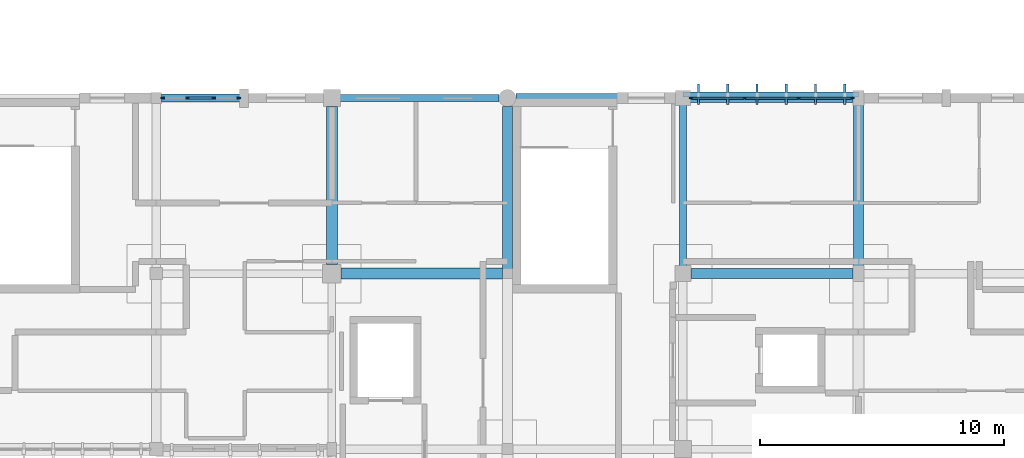
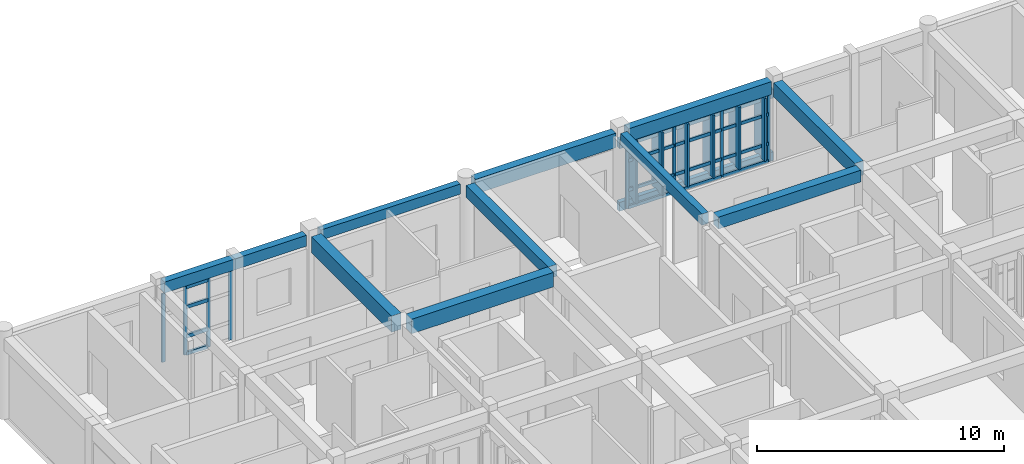
# One storey, part 5 of 19: 30 members, 12 beams, 2 elements without a shape of their own.
"""IFC4 building model written with IfcOpenShell, lengths in metres."""

from ifc_helpers import new_model, si_unit, direction, frame, origin, origin_2d, place, context, subcontext, project, spatial, rectangle, extrude, material, material_profile, profile_set, type_object, element, aggregate, save


model = new_model("IFC4")

# Units and contexts
model_context = context("Model", 3, precision=1e-05, world=origin(), true_north=direction((0.0, 1.0)))
body_context = subcontext(model_context, "Body", "Model", "MODEL_VIEW")
ifc_project = project(units=[si_unit("LENGTHUNIT", "METRE"), si_unit("AREAUNIT", "SQUARE_METRE"), si_unit("VOLUMEUNIT", "CUBIC_METRE"), si_unit("PLANEANGLEUNIT", "RADIAN"), si_unit("MASSUNIT", "GRAM", prefix="KILO")], contexts=[model_context])

# Site, building, storey
site_placement = place(None, origin())
site = spatial("IfcSite", under=ifc_project, at=site_placement, CompositionType="ELEMENT")
building_placement = place(site_placement, origin())
building = spatial("IfcBuilding", under=site, at=building_placement, Name="Steenspoor Specialist Clinic", CompositionType="ELEMENT")
storey_placement = place(building_placement, frame((0.0, 0.0, 21.60009765625)))
storey = spatial("IfcBuildingStorey", under=building, at=storey_placement, Name="L05", CompositionType="ELEMENT", Elevation=21.60009765625)

# Beams
ifc_material_1 = material(Name="Glulam GL28h", Category="wood")
ifc_material_profile_1 = material_profile(ifc_material_1, rectangle(XDim=0.199951171875, YDim=0.43994140625, at=origin_2d()), Name="GL28H-200X440")
ifc_profile_set_1 = profile_set([ifc_material_profile_1], Name="Glulam GL28h")
beam_type_1 = type_object("IfcBeamType", Name="BM-GL-200X440", PredefinedType="BEAM", material=ifc_profile_set_1)
for number, where, z_axis, x_axis, name in (
    (1, (88.39990234375, 108.5, 0.139892578125), (1.0, 0.0, 0.0), (0.0, 1.0, 0.0), "Timber Screen Tie Rail V4 L05 128"),
    (2, (88.39990234375, 108.5, 3.22998046875), (1.0, 0.0, 0.0), (0.0, 1.0, 0.0), "Timber Screen Tie Rail V4 L05 129"),
):
    element("IfcBeam", number, at=place(storey_placement, frame(where, z_axis=z_axis, x_axis=x_axis)), inside=storey, type_object=beam_type_1, Name=name, PredefinedType="BEAM", context=body_context, shape_type="SweptSolid", body=[
        extrude(rectangle(XDim=0.199951171875, YDim=0.43994140625, at=origin_2d()), origin(), (0.0, 0.0, 1.0), 7.2001953125),
    ])
ifc_material_2 = material(Name="Concrete C35/45", Category="concrete")
ifc_material_profile_2 = material_profile(ifc_material_2, rectangle(XDim=0.300048828125, YDim=0.550048828125, at=origin_2d()), Name="RC-BM-300X550")
ifc_profile_set_2 = profile_set([ifc_material_profile_2], Name="Concrete C35/45")
beam_type_2 = type_object("IfcBeamType", Name="BM-RC-300X550", PredefinedType="BEAM", material=ifc_profile_set_2)
beam_1_placement = place(storey_placement, frame((88.39990234375, 101.469970703125, 3.760009765625), z_axis=(0.0, 1.0, 0.0), x_axis=(-1.0, 0.0, 0.0)))
element("IfcBeam", 3, at=beam_1_placement, inside=storey, type_object=beam_type_2, Name="BM-V4-L05-Y1043", PredefinedType="BEAM", context=body_context, shape_type="SweptSolid", body=[
    extrude(rectangle(XDim=0.300048828125, YDim=0.550048828125, at=origin_2d()), origin(), (0.0, 0.0, 1.0), 6.5849609375),
])
ifc_material_profile_3 = material_profile(ifc_material_2, rectangle(XDim=0.39990234375, YDim=0.580078125, at=origin_2d()), Name="RC-BM-400X580")
ifc_profile_set_3 = profile_set([ifc_material_profile_3], Name="Concrete C35/45")
beam_type_3 = type_object("IfcBeamType", Name="BM-RC-400X580", PredefinedType="BEAM", material=ifc_profile_set_3)
for number, where, z_axis, x_axis, name in (
    (4, (88.719970703125, 101.14990234375, 3.744873046875), (1.0, 0.0, 0.0), (0.0, 1.0, 0.0), "BM-V4-L05-X1019"),
    (5, (81.199951171875, 101.344970703125, 3.744873046875), (0.0, 1.0, 0.0), (-1.0, 0.0, 0.0), "BM-V4-L05-Y1039"),
):
    element("IfcBeam", number, at=place(storey_placement, frame(where, z_axis=z_axis, x_axis=x_axis)), inside=storey, type_object=beam_type_3, Name=name, PredefinedType="BEAM", context=body_context, shape_type="SweptSolid", body=[
        extrude(rectangle(XDim=0.39990234375, YDim=0.580078125, at=origin_2d()), origin(), (0.0, 0.0, 1.0), 6.659912109375),
    ])
ifc_material_profile_4 = material_profile(ifc_material_2, rectangle(XDim=0.39990234375, YDim=0.699951171875, at=origin_2d()), Name="RC-BM-400X700")
ifc_profile_set_4 = profile_set([ifc_material_profile_4], Name="Concrete C35/45")
beam_type_4 = type_object("IfcBeamType", Name="BM-RC-400X700", PredefinedType="BEAM", material=ifc_profile_set_4)
beam_2_placement = place(storey_placement, frame((95.60009765625, 101.469970703125, 3.684814453125), z_axis=(0.0, 1.0, 0.0), x_axis=(-1.0, 0.0, 0.0)))
element("IfcBeam", 6, at=beam_2_placement, inside=storey, type_object=beam_type_4, Name="BM-V4-L05-Y1047", PredefinedType="BEAM", context=body_context, shape_type="SweptSolid", body=[
    extrude(rectangle(XDim=0.39990234375, YDim=0.699951171875, at=origin_2d()), origin(), (0.0, 0.0, 1.0), 6.5849609375),
])
ifc_material_profile_5 = material_profile(ifc_material_2, rectangle(XDim=0.449951171875, YDim=0.719970703125, at=origin_2d()), Name="RC-BM-450X720")
ifc_profile_set_5 = profile_set([ifc_material_profile_5], Name="Concrete C35/45")
beam_type_5 = type_object("IfcBeamType", Name="BM-RC-450X720", PredefinedType="BEAM", material=ifc_profile_set_5)
beam_3_placement = place(storey_placement, frame((74.3701171875, 101.14990234375, 3.6748046875), z_axis=(1.0, 0.0, 0.0), x_axis=(0.0, 1.0, 0.0)))
element("IfcBeam", 7, at=beam_3_placement, inside=storey, type_object=beam_type_5, Name="BM-V4-L05-X1018", PredefinedType="BEAM", context=body_context, shape_type="SweptSolid", body=[
    extrude(rectangle(XDim=0.449951171875, YDim=0.719970703125, at=origin_2d()), origin(), (0.0, 0.0, 1.0), 6.634765625),
])
ifc_material_profile_6 = material_profile(ifc_material_2, rectangle(XDim=0.449951171875, YDim=0.800048828125, at=origin_2d()), Name="RC-BM-450X800")
ifc_profile_set_6 = profile_set([ifc_material_profile_6], Name="Concrete C35/45")
beam_type_6 = type_object("IfcBeamType", Name="BM-RC-450X800", PredefinedType="BEAM", material=ifc_profile_set_6)
beam_4_placement = place(storey_placement, frame((74.0, 101.52001953125, 3.635009765625), z_axis=(0.0, 1.0, 0.0), x_axis=(-1.0, 0.0, 0.0)))
element("IfcBeam", 8, at=beam_4_placement, inside=storey, type_object=beam_type_6, Name="BM-V4-L05-Y1035", PredefinedType="BEAM", context=body_context, shape_type="SweptSolid", body=[
    extrude(rectangle(XDim=0.449951171875, YDim=0.800048828125, at=origin_2d()), origin(), (0.0, 0.0, 1.0), 6.48486328125),
])

# Curtain wall, members
ifc_material_3 = material(Name="Thermally broken aluminium and low-emissivity glass", Category="aluminium")
curtain_wall_type_1 = type_object("IfcCurtainWallType", Name="CW-TYP-300X355", PredefinedType="USERDEFINED", material=ifc_material_3)
curtain_wall_1_placement = place(storey_placement, origin())
curtain_wall_1 = element("IfcCurtainWall", 9, at=curtain_wall_1_placement, inside=storey, type_object=curtain_wall_type_1, Name="Unitised Curtain Wall CW-V4-L05-135", ObjectType="UNITISED GLAZING", PredefinedType="USERDEFINED")
ifc_material_4 = material(Name="Thermally broken aluminium 6063-T6", Category="aluminium")
ifc_material_profile_7 = material_profile(ifc_material_4, rectangle(XDim=0.06494140625, YDim=0.14990234375, at=origin_2d()), Name="CWM-65X150")
ifc_profile_set_7 = profile_set([ifc_material_profile_7], Name="Thermally broken aluminium 6063-T6")
member_type_1 = type_object("IfcMemberType", Name="CW-MULL-65X150", PredefinedType="MULLION", material=ifc_profile_set_7)
member_1_placement = place(storey_placement, frame((88.732421875, 108.35009765625, 0.0), z_axis=(0.0, 0.0, 1.0), x_axis=(0.0, 1.0, 0.0)))
member_1 = element("IfcMember", 10, at=member_1_placement, type_object=member_type_1, Name="CW-15 mullion 1", PredefinedType="MULLION", context=body_context, shape_type="SweptSolid", body=[
    extrude(rectangle(XDim=0.06494140625, YDim=0.14990234375, at=origin_2d()), origin(), (0.0, 0.0, 1.0), 3.3798828125),
])
member_2_placement = place(storey_placement, frame((90.925048828125, 108.35009765625, 0.0), z_axis=(0.0, 0.0, 1.0), x_axis=(0.0, 1.0, 0.0)))
member_2 = element("IfcMember", 11, at=member_2_placement, type_object=member_type_1, Name="CW-15 mullion 2", PredefinedType="MULLION", context=body_context, shape_type="SweptSolid", body=[
    extrude(rectangle(XDim=0.06494140625, YDim=0.14990234375, at=origin_2d()), origin(), (0.0, 0.0, 1.0), 3.3798828125),
])
member_3_placement = place(storey_placement, frame((93.14990234375, 108.35009765625, 0.0), z_axis=(0.0, 0.0, 1.0), x_axis=(0.0, 1.0, 0.0)))
member_3 = element("IfcMember", 12, at=member_3_placement, type_object=member_type_1, Name="CW-15 mullion 3", PredefinedType="MULLION", context=body_context, shape_type="SweptSolid", body=[
    extrude(rectangle(XDim=0.06494140625, YDim=0.14990234375, at=origin_2d()), origin(), (0.0, 0.0, 1.0), 3.3798828125),
])
member_4_placement = place(storey_placement, frame((95.342529296875, 108.35009765625, 0.0), z_axis=(0.0, 0.0, 1.0), x_axis=(0.0, 1.0, 0.0)))
member_4 = element("IfcMember", 13, at=member_4_placement, type_object=member_type_1, Name="CW-15 mullion 4", PredefinedType="MULLION", context=body_context, shape_type="SweptSolid", body=[
    extrude(rectangle(XDim=0.06494140625, YDim=0.14990234375, at=origin_2d()), origin(), (0.0, 0.0, 1.0), 3.3798828125),
])

curtain_wall_type_2 = type_object("IfcCurtainWallType", Name="CW-TYP-360X355", PredefinedType="USERDEFINED", material=ifc_material_3)
curtain_wall_2_placement = place(storey_placement, origin())
curtain_wall_2 = element("IfcCurtainWall", 14, at=curtain_wall_2_placement, inside=storey, type_object=curtain_wall_type_2, Name="Unitised Curtain Wall CW-V4-L05-134", ObjectType="UNITISED GLAZING", PredefinedType="USERDEFINED")
ifc_material_profile_8 = material_profile(ifc_material_4, rectangle(XDim=0.070068359375, YDim=0.1650390625, at=origin_2d()), Name="CWM-70X165")
ifc_profile_set_8 = profile_set([ifc_material_profile_8], Name="Thermally broken aluminium 6063-T6")
member_type_2 = type_object("IfcMemberType", Name="CW-MULL-70X165", PredefinedType="MULLION", material=ifc_profile_set_8)
member_5_placement = place(storey_placement, frame((67.06005859375, 108.35009765625, 0.0), z_axis=(0.0, 0.0, 1.0), x_axis=(0.0, 1.0, 0.0)))
member_5 = element("IfcMember", 15, at=member_5_placement, type_object=member_type_2, Name="CW-14 mullion 1", PredefinedType="MULLION", context=body_context, shape_type="SweptSolid", body=[
    extrude(rectangle(XDim=0.070068359375, YDim=0.1650390625, at=origin_2d()), origin(), (0.0, 0.0, 1.0), 3.3798828125),
])
member_6_placement = place(storey_placement, frame((68.086669921875, 108.35009765625, 0.0), z_axis=(0.0, 0.0, 1.0), x_axis=(0.0, 1.0, 0.0)))
member_6 = element("IfcMember", 16, at=member_6_placement, type_object=member_type_2, Name="CW-14 mullion 2", PredefinedType="MULLION", context=body_context, shape_type="SweptSolid", body=[
    extrude(rectangle(XDim=0.070068359375, YDim=0.1650390625, at=origin_2d()), origin(), (0.0, 0.0, 1.0), 3.3798828125),
])
member_7_placement = place(storey_placement, frame((69.1484375, 108.35009765625, 0.0), z_axis=(0.0, 0.0, 1.0), x_axis=(0.0, 1.0, 0.0)))
member_7 = element("IfcMember", 17, at=member_7_placement, type_object=member_type_2, Name="CW-14 mullion 3", PredefinedType="MULLION", context=body_context, shape_type="SweptSolid", body=[
    extrude(rectangle(XDim=0.070068359375, YDim=0.1650390625, at=origin_2d()), origin(), (0.0, 0.0, 1.0), 3.3798828125),
])
member_8_placement = place(storey_placement, frame((70.175048828125, 108.35009765625, 0.0), z_axis=(0.0, 0.0, 1.0), x_axis=(0.0, 1.0, 0.0)))
member_8 = element("IfcMember", 18, at=member_8_placement, type_object=member_type_2, Name="CW-14 mullion 4", PredefinedType="MULLION", context=body_context, shape_type="SweptSolid", body=[
    extrude(rectangle(XDim=0.070068359375, YDim=0.1650390625, at=origin_2d()), origin(), (0.0, 0.0, 1.0), 3.3798828125),
])

# Member
ifc_material_profile_9 = material_profile(ifc_material_4, rectangle(XDim=0.080078125, YDim=0.159912109375, at=origin_2d()), Name="CWT-80X160")
ifc_profile_set_9 = profile_set([ifc_material_profile_9], Name="Thermally broken aluminium 6063-T6")
member_type_3 = type_object("IfcMemberType", Name="CW-TRAN-80X160", PredefinedType="USERDEFINED", material=ifc_profile_set_9)
member_9_placement = place(storey_placement, frame((88.764892578125, 108.35009765625, 0.039794921875), z_axis=(1.0, 0.0, 0.0), x_axis=(0.0, 1.0, 0.0)))
member_9 = element("IfcMember", 19, at=member_9_placement, type_object=member_type_3, Name="CW-15 transom 1.1", ObjectType="TRANSOM", PredefinedType="USERDEFINED", context=body_context, shape_type="SweptSolid", body=[
    extrude(rectangle(XDim=0.080078125, YDim=0.159912109375, at=origin_2d()), origin(), (0.0, 0.0, 1.0), 2.127685546875),
])

member_10_placement = place(storey_placement, frame((88.764892578125, 108.35009765625, 0.89990234375), z_axis=(1.0, 0.0, 0.0), x_axis=(0.0, 1.0, 0.0)))
member_10 = element("IfcMember", 20, at=member_10_placement, type_object=member_type_3, Name="CW-15 transom 1.2", ObjectType="TRANSOM", PredefinedType="USERDEFINED", context=body_context, shape_type="SweptSolid", body=[
    extrude(rectangle(XDim=0.080078125, YDim=0.159912109375, at=origin_2d()), origin(), (0.0, 0.0, 1.0), 2.127685546875),
])

member_11_placement = place(storey_placement, frame((88.764892578125, 108.35009765625, 2.349853515625), z_axis=(1.0, 0.0, 0.0), x_axis=(0.0, 1.0, 0.0)))
member_11 = element("IfcMember", 21, at=member_11_placement, type_object=member_type_3, Name="CW-15 transom 1.3", ObjectType="TRANSOM", PredefinedType="USERDEFINED", context=body_context, shape_type="SweptSolid", body=[
    extrude(rectangle(XDim=0.080078125, YDim=0.159912109375, at=origin_2d()), origin(), (0.0, 0.0, 1.0), 2.127685546875),
])

member_12_placement = place(storey_placement, frame((88.764892578125, 108.35009765625, 3.33984375), z_axis=(1.0, 0.0, 0.0), x_axis=(0.0, 1.0, 0.0)))
member_12 = element("IfcMember", 22, at=member_12_placement, type_object=member_type_3, Name="CW-15 transom 1.4", ObjectType="TRANSOM", PredefinedType="USERDEFINED", context=body_context, shape_type="SweptSolid", body=[
    extrude(rectangle(XDim=0.080078125, YDim=0.159912109375, at=origin_2d()), origin(), (0.0, 0.0, 1.0), 2.127685546875),
])

member_13_placement = place(storey_placement, frame((90.95751953125, 108.35009765625, 0.039794921875), z_axis=(1.0, 0.0, 0.0), x_axis=(0.0, 1.0, 0.0)))
member_13 = element("IfcMember", 23, at=member_13_placement, type_object=member_type_3, Name="CW-15 transom 2.1", ObjectType="TRANSOM", PredefinedType="USERDEFINED", context=body_context, shape_type="SweptSolid", body=[
    extrude(rectangle(XDim=0.080078125, YDim=0.159912109375, at=origin_2d()), origin(), (0.0, 0.0, 1.0), 2.159912109375),
])

member_14_placement = place(storey_placement, frame((90.95751953125, 108.35009765625, 0.89990234375), z_axis=(1.0, 0.0, 0.0), x_axis=(0.0, 1.0, 0.0)))
member_14 = element("IfcMember", 24, at=member_14_placement, type_object=member_type_3, Name="CW-15 transom 2.2", ObjectType="TRANSOM", PredefinedType="USERDEFINED", context=body_context, shape_type="SweptSolid", body=[
    extrude(rectangle(XDim=0.080078125, YDim=0.159912109375, at=origin_2d()), origin(), (0.0, 0.0, 1.0), 2.159912109375),
])

member_15_placement = place(storey_placement, frame((90.95751953125, 108.35009765625, 2.349853515625), z_axis=(1.0, 0.0, 0.0), x_axis=(0.0, 1.0, 0.0)))
member_15 = element("IfcMember", 25, at=member_15_placement, type_object=member_type_3, Name="CW-15 transom 2.3", ObjectType="TRANSOM", PredefinedType="USERDEFINED", context=body_context, shape_type="SweptSolid", body=[
    extrude(rectangle(XDim=0.080078125, YDim=0.159912109375, at=origin_2d()), origin(), (0.0, 0.0, 1.0), 2.159912109375),
])

member_16_placement = place(storey_placement, frame((90.95751953125, 108.35009765625, 3.33984375), z_axis=(1.0, 0.0, 0.0), x_axis=(0.0, 1.0, 0.0)))
member_16 = element("IfcMember", 26, at=member_16_placement, type_object=member_type_3, Name="CW-15 transom 2.4", ObjectType="TRANSOM", PredefinedType="USERDEFINED", context=body_context, shape_type="SweptSolid", body=[
    extrude(rectangle(XDim=0.080078125, YDim=0.159912109375, at=origin_2d()), origin(), (0.0, 0.0, 1.0), 2.159912109375),
])

member_17_placement = place(storey_placement, frame((93.1826171875, 108.35009765625, 0.039794921875), z_axis=(1.0, 0.0, 0.0), x_axis=(0.0, 1.0, 0.0)))
member_17 = element("IfcMember", 27, at=member_17_placement, type_object=member_type_3, Name="CW-15 transom 3.1", ObjectType="TRANSOM", PredefinedType="USERDEFINED", context=body_context, shape_type="SweptSolid", body=[
    extrude(rectangle(XDim=0.080078125, YDim=0.159912109375, at=origin_2d()), origin(), (0.0, 0.0, 1.0), 2.12744140625),
])

member_18_placement = place(storey_placement, frame((93.1826171875, 108.35009765625, 0.89990234375), z_axis=(1.0, 0.0, 0.0), x_axis=(0.0, 1.0, 0.0)))
member_18 = element("IfcMember", 28, at=member_18_placement, type_object=member_type_3, Name="CW-15 transom 3.2", ObjectType="TRANSOM", PredefinedType="USERDEFINED", context=body_context, shape_type="SweptSolid", body=[
    extrude(rectangle(XDim=0.080078125, YDim=0.159912109375, at=origin_2d()), origin(), (0.0, 0.0, 1.0), 2.12744140625),
])

member_19_placement = place(storey_placement, frame((93.1826171875, 108.35009765625, 2.349853515625), z_axis=(1.0, 0.0, 0.0), x_axis=(0.0, 1.0, 0.0)))
member_19 = element("IfcMember", 29, at=member_19_placement, type_object=member_type_3, Name="CW-15 transom 3.3", ObjectType="TRANSOM", PredefinedType="USERDEFINED", context=body_context, shape_type="SweptSolid", body=[
    extrude(rectangle(XDim=0.080078125, YDim=0.159912109375, at=origin_2d()), origin(), (0.0, 0.0, 1.0), 2.12744140625),
])

member_20_placement = place(storey_placement, frame((93.1826171875, 108.35009765625, 3.33984375), z_axis=(1.0, 0.0, 0.0), x_axis=(0.0, 1.0, 0.0)))
member_20 = element("IfcMember", 30, at=member_20_placement, type_object=member_type_3, Name="CW-15 transom 3.4", ObjectType="TRANSOM", PredefinedType="USERDEFINED", context=body_context, shape_type="SweptSolid", body=[
    extrude(rectangle(XDim=0.080078125, YDim=0.159912109375, at=origin_2d()), origin(), (0.0, 0.0, 1.0), 2.12744140625),
])

aggregate(curtain_wall_1, [member_1, member_2, member_3, member_4, member_9, member_10, member_11, member_12, member_13, member_14, member_15, member_16, member_17, member_18, member_19, member_20])

ifc_material_profile_10 = material_profile(ifc_material_4, rectangle(XDim=0.090087890625, YDim=0.175048828125, at=origin_2d()), Name="CWT-90X175")
ifc_profile_set_10 = profile_set([ifc_material_profile_10], Name="Thermally broken aluminium 6063-T6")
member_type_4 = type_object("IfcMemberType", Name="CW-TRAN-90X175", PredefinedType="USERDEFINED", material=ifc_profile_set_10)
member_21_placement = place(storey_placement, frame((68.12158203125, 108.35009765625, 0.044921875), z_axis=(1.0, 0.0, 0.0), x_axis=(0.0, 1.0, 0.0)))
member_21 = element("IfcMember", 31, at=member_21_placement, type_object=member_type_4, Name="CW-14 transom 2.1", ObjectType="TRANSOM", PredefinedType="USERDEFINED", context=body_context, shape_type="SweptSolid", body=[
    extrude(rectangle(XDim=0.090087890625, YDim=0.175048828125, at=origin_2d()), origin(), (0.0, 0.0, 1.0), 0.99169921875),
])

member_22_placement = place(storey_placement, frame((68.12158203125, 108.35009765625, 0.89990234375), z_axis=(1.0, 0.0, 0.0), x_axis=(0.0, 1.0, 0.0)))
member_22 = element("IfcMember", 32, at=member_22_placement, type_object=member_type_4, Name="CW-14 transom 2.2", ObjectType="TRANSOM", PredefinedType="USERDEFINED", context=body_context, shape_type="SweptSolid", body=[
    extrude(rectangle(XDim=0.090087890625, YDim=0.175048828125, at=origin_2d()), origin(), (0.0, 0.0, 1.0), 0.99169921875),
])

member_23_placement = place(storey_placement, frame((68.12158203125, 108.35009765625, 2.349853515625), z_axis=(1.0, 0.0, 0.0), x_axis=(0.0, 1.0, 0.0)))
member_23 = element("IfcMember", 33, at=member_23_placement, type_object=member_type_4, Name="CW-14 transom 2.3", ObjectType="TRANSOM", PredefinedType="USERDEFINED", context=body_context, shape_type="SweptSolid", body=[
    extrude(rectangle(XDim=0.090087890625, YDim=0.175048828125, at=origin_2d()), origin(), (0.0, 0.0, 1.0), 0.99169921875),
])

member_24_placement = place(storey_placement, frame((68.12158203125, 108.35009765625, 3.3349609375), z_axis=(1.0, 0.0, 0.0), x_axis=(0.0, 1.0, 0.0)))
member_24 = element("IfcMember", 34, at=member_24_placement, type_object=member_type_4, Name="CW-14 transom 2.4", ObjectType="TRANSOM", PredefinedType="USERDEFINED", context=body_context, shape_type="SweptSolid", body=[
    extrude(rectangle(XDim=0.090087890625, YDim=0.175048828125, at=origin_2d()), origin(), (0.0, 0.0, 1.0), 0.99169921875),
])

aggregate(curtain_wall_2, [member_5, member_6, member_7, member_8, member_21, member_22, member_23, member_24])

# Members
ifc_material_profile_11 = material_profile(ifc_material_1, rectangle(XDim=0.090087890625, YDim=0.85009765625, at=origin_2d()), Name="GL28H-90X850")
ifc_profile_set_11 = profile_set([ifc_material_profile_11], Name="Glulam GL28h")
member_type_5 = type_object("IfcMemberType", Name="MEM-SCREEN-GL850", PredefinedType="STRUT", material=ifc_profile_set_11)
for number, where, z_axis, x_axis, name in (
    (35, (89.03759765625, 108.5, 0.27001953125), (0.0, 0.0, 1.0), (1.0, 0.0, 0.0), "Glulam Timber Screen Fin SCR-FIN-V4-L05-0130"),
    (36, (90.237548828125, 108.5, 0.27001953125), (0.0, 0.0, 1.0), (1.0, 0.0, 0.0), "Glulam Timber Screen Fin SCR-FIN-V4-L05-0131"),
    (37, (91.4375, 108.5, 0.27001953125), (0.0, 0.0, 1.0), (1.0, 0.0, 0.0), "Glulam Timber Screen Fin SCR-FIN-V4-L05-0132"),
    (38, (92.637451171875, 108.5, 0.27001953125), (0.0, 0.0, 1.0), (1.0, 0.0, 0.0), "Glulam Timber Screen Fin SCR-FIN-V4-L05-0133"),
    (39, (93.83740234375, 108.5, 0.27001953125), (0.0, 0.0, 1.0), (1.0, 0.0, 0.0), "Glulam Timber Screen Fin SCR-FIN-V4-L05-0134"),
    (40, (95.03759765625, 108.5, 0.27001953125), (0.0, 0.0, 1.0), (1.0, 0.0, 0.0), "Glulam Timber Screen Fin SCR-FIN-V4-L05-0135"),
):
    element("IfcMember", number, at=place(storey_placement, frame(where, z_axis=z_axis, x_axis=x_axis)), inside=storey, type_object=member_type_5, Name=name, PredefinedType="STRUT", context=body_context, shape_type="SweptSolid", body=[
        extrude(rectangle(XDim=0.090087890625, YDim=0.85009765625, at=origin_2d()), origin(), (0.0, 0.0, 1.0), 3.099853515625),
    ])

# Beams
ifc_material_profile_12 = material_profile(ifc_material_2, rectangle(XDim=0.280029296875, YDim=0.5, at=origin_2d()), Name="RC-SP-280X500")
ifc_profile_set_12 = profile_set([ifc_material_profile_12], Name="Concrete C35/45")
beam_type_7 = type_object("IfcBeamType", Name="SP-RC-280X500", PredefinedType="SPANDREL", material=ifc_profile_set_12)
beam_5_placement = place(storey_placement, frame((74.344970703125, 108.35009765625, 3.784912109375), z_axis=(1.0, 0.0, 0.0), x_axis=(0.0, 1.0, 0.0)))
element("IfcBeam", 41, at=beam_5_placement, inside=storey, type_object=beam_type_7, Name="BM-V4-L05-X1023", PredefinedType="SPANDREL", context=body_context, shape_type="SweptSolid", body=[
    extrude(rectangle(XDim=0.280029296875, YDim=0.5, at=origin_2d()), origin(), (0.0, 0.0, 1.0), 6.510009765625),
])
ifc_material_profile_13 = material_profile(ifc_material_2, rectangle(XDim=0.320068359375, YDim=0.5400390625, at=origin_2d()), Name="RC-SP-320X540")
ifc_profile_set_13 = profile_set([ifc_material_profile_13], Name="Concrete C35/45")
beam_type_8 = type_object("IfcBeamType", Name="SP-RC-320X540", PredefinedType="SPANDREL", material=ifc_profile_set_13)
beam_6_placement = place(storey_placement, frame((67.02001953125, 108.35009765625, 3.764892578125), z_axis=(1.0, 0.0, 0.0), x_axis=(0.0, 1.0, 0.0)))
element("IfcBeam", 42, at=beam_6_placement, inside=storey, type_object=beam_type_8, Name="BM-V4-L05-X1022", PredefinedType="SPANDREL", context=body_context, shape_type="SweptSolid", body=[
    extrude(rectangle(XDim=0.320068359375, YDim=0.5400390625, at=origin_2d()), origin(), (0.0, 0.0, 1.0), 6.635009765625),
])
ifc_material_profile_14 = material_profile(ifc_material_2, rectangle(XDim=0.360107421875, YDim=0.639892578125, at=origin_2d()), Name="RC-SP-360X640")
ifc_profile_set_14 = profile_set([ifc_material_profile_14], Name="Concrete C35/45")
beam_type_9 = type_object("IfcBeamType", Name="SP-RC-360X640", PredefinedType="SPANDREL", material=ifc_profile_set_14)
beam_7_placement = place(storey_placement, frame((88.695068359375, 108.35009765625, 3.71484375), z_axis=(1.0, 0.0, 0.0), x_axis=(0.0, 1.0, 0.0)))
element("IfcBeam", 43, at=beam_7_placement, inside=storey, type_object=beam_type_9, Name="BM-V4-L05-X1025", PredefinedType="SPANDREL", context=body_context, shape_type="SweptSolid", body=[
    extrude(rectangle(XDim=0.360107421875, YDim=0.639892578125, at=origin_2d()), origin(), (0.0, 0.0, 1.0), 6.684814453125),
])
ifc_material_profile_15 = material_profile(ifc_material_2, rectangle(XDim=0.360107421875, YDim=0.719970703125, at=origin_2d()), Name="RC-SP-360X720")
ifc_profile_set_15 = profile_set([ifc_material_profile_15], Name="Concrete C35/45")
beam_type_10 = type_object("IfcBeamType", Name="SP-RC-360X720", PredefinedType="SPANDREL", material=ifc_profile_set_15)
beam_8_placement = place(storey_placement, frame((81.544921875, 108.35009765625, 3.6748046875), z_axis=(1.0, 0.0, 0.0), x_axis=(0.0, 1.0, 0.0)))
element("IfcBeam", 44, at=beam_8_placement, inside=storey, type_object=beam_type_10, Name="BM-V4-L05-X1024", PredefinedType="SPANDREL", context=body_context, shape_type="SweptSolid", body=[
    extrude(rectangle(XDim=0.360107421875, YDim=0.719970703125, at=origin_2d()), origin(), (0.0, 0.0, 1.0), 6.56005859375),
])

save(model, "model.ifc")
